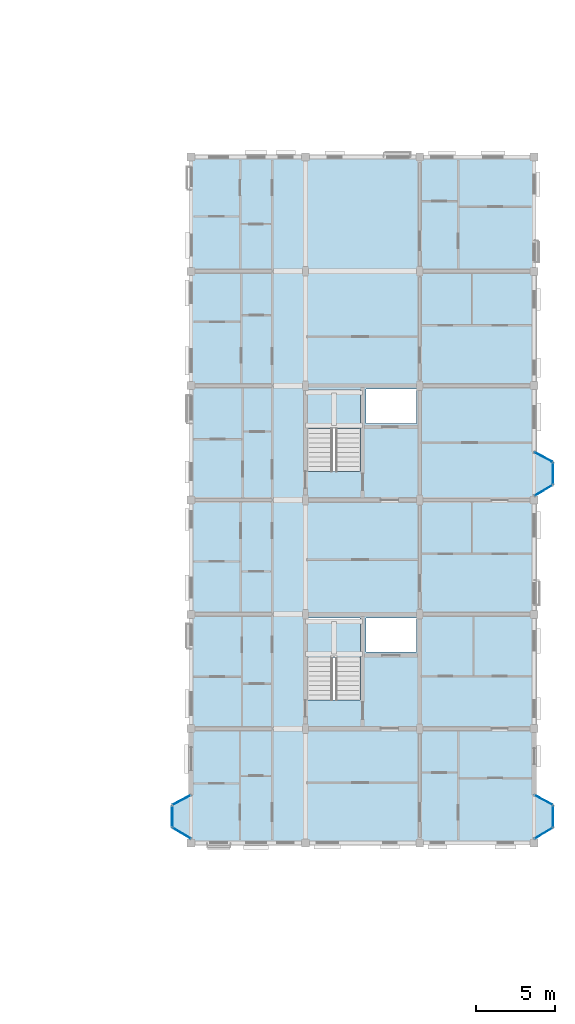
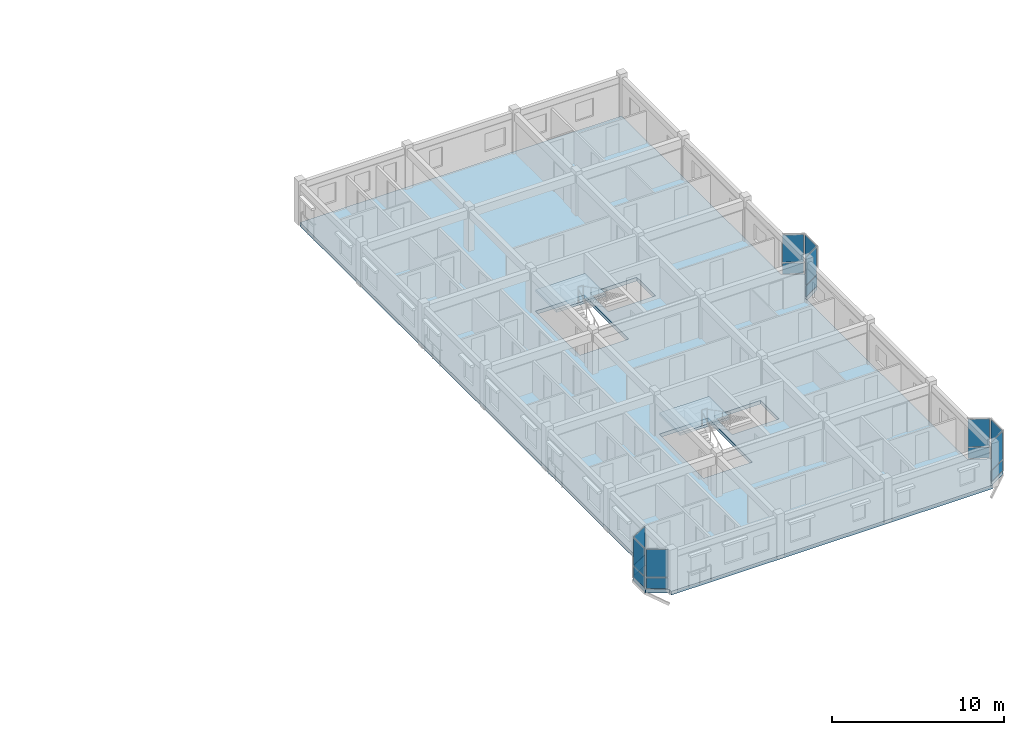
# One storey, part 37 of 64: 18 plates, 3 slabs, 11 elements without a shape of their own.
"""IFC4 building model written with IfcOpenShell, lengths in metres."""

from ifc_helpers import new_model, si_unit, direction, frame, origin, origin_2d, place, context, subcontext, project, spatial, polyline, rectangle, outline, extrude, material, layer, layer_set, type_object, element, aggregate, save


model = new_model("IFC4")

# Units and contexts
model_context = context("Model", 3, precision=1e-05, world=origin(), true_north=direction((0.0, 1.0)))
body_context = subcontext(model_context, "Body", "Model", "MODEL_VIEW")
ifc_project = project(units=[si_unit("LENGTHUNIT", "METRE"), si_unit("AREAUNIT", "SQUARE_METRE"), si_unit("VOLUMEUNIT", "CUBIC_METRE"), si_unit("PLANEANGLEUNIT", "RADIAN"), si_unit("MASSUNIT", "GRAM", prefix="KILO"), si_unit("THERMODYNAMICTEMPERATUREUNIT", "KELVIN"), si_unit("POWERUNIT", "WATT")], contexts=[model_context])

# Site, building, storey
site_placement = place(None, origin())
site = spatial("IfcSite", under=ifc_project, at=site_placement, CompositionType="ELEMENT")
building_placement = place(site_placement, origin())
building = spatial("IfcBuilding", under=site, at=building_placement, Name="Tavuni Mirador Residences", CompositionType="ELEMENT")
storey_placement = place(building_placement, frame((0.0, 0.0, 26.550048828125)))
storey = spatial("IfcBuildingStorey", under=building, at=storey_placement, Name="L08", CompositionType="ELEMENT", Elevation=26.550048828125)

# Curtain wall, plate
ifc_material_1 = material(Name="Anodised aluminium", Category="aluminium")
ifc_layer_1 = layer(ifc_material_1, 0.1650390625, Name="Anodised aluminium", Category="aluminium")
ifc_layer_set_1 = layer_set([ifc_layer_1], Name="Anodised aluminium")
curtain_wall_type_1 = type_object("IfcCurtainWallType", Name="CWT-MIR-A", PredefinedType="NOTDEFINED", material=ifc_layer_set_1)
curtain_wall_1_placement = place(storey_placement, origin())
curtain_wall_1 = element("IfcCurtainWall", 1, at=curtain_wall_1_placement, inside=storey, type_object=curtain_wall_type_1, Name="CW-MIR-D-E1-L08-M2", PredefinedType="NOTDEFINED")
ifc_material_2 = material(Name="Laminated solar-control glass", Category="glass")
ifc_layer_2 = layer(ifc_material_2, 0.02392578125, Name="Laminated solar-control glass", Category="glass")
ifc_layer_set_2 = layer_set([ifc_layer_2], Name="Laminated solar-control glass")
plate_type_1 = type_object("IfcPlateType", Name="CWP-GL24", PredefinedType="CURTAIN_PANEL", material=ifc_layer_set_2)
plate_1_placement = place(storey_placement, frame((119.39990234375, 89.10009765625, 0.8798828125), z_axis=(0.0, 0.0, 1.0), x_axis=(-0.882352941175, 0.470588235296, 0.0)))
plate_1 = element("IfcPlate", 2, at=plate_1_placement, type_object=plate_type_1, Name="CW-01 panel 1.2", PredefinedType="CURTAIN_PANEL", context=body_context, shape_type="SweptSolid", body=[
    extrude(rectangle(XDim=1.239990234375, YDim=0.02392578125, at=origin_2d()), origin(), (0.0, 0.0, 1.0), 1.949951171875),
])

curtain_wall_2_placement = place(storey_placement, origin())
curtain_wall_2 = element("IfcCurtainWall", 3, at=curtain_wall_2_placement, inside=storey, type_object=curtain_wall_type_1, Name="CW-MIR-D-WU-L08-M1", PredefinedType="NOTDEFINED")
plate_2_placement = place(storey_placement, frame((96.60009765625, 89.10009765625, 0.8798828125), z_axis=(0.0, 0.0, 1.0), x_axis=(-0.882352941175, -0.470588235296, 0.0)))
plate_2 = element("IfcPlate", 4, at=plate_2_placement, type_object=plate_type_1, Name="CW-01 panel 1.2", PredefinedType="CURTAIN_PANEL", context=body_context, shape_type="SweptSolid", body=[
    extrude(rectangle(XDim=1.239990234375, YDim=0.02392578125, at=origin_2d()), origin(), (0.0, 0.0, 1.0), 1.949951171875),
])

ifc_layer_3 = layer(ifc_material_1, 0.14990234375, Name="Anodised aluminium", Category="aluminium")
ifc_layer_set_3 = layer_set([ifc_layer_3], Name="Anodised aluminium")
curtain_wall_type_2 = type_object("IfcCurtainWallType", Name="CWT-MIR-B", PredefinedType="NOTDEFINED", material=ifc_layer_set_3)
curtain_wall_3_placement = place(storey_placement, origin())
curtain_wall_3 = element("IfcCurtainWall", 5, at=curtain_wall_3_placement, inside=storey, type_object=curtain_wall_type_2, Name="CW-MIR-D-E2-L08-M1", PredefinedType="NOTDEFINED")
ifc_layer_4 = layer(ifc_material_2, 0.028076171875, Name="Laminated solar-control glass", Category="glass")
ifc_layer_set_4 = layer_set([ifc_layer_4], Name="Laminated solar-control glass")
plate_type_2 = type_object("IfcPlateType", Name="CWP-GL28", PredefinedType="CURTAIN_PANEL", material=ifc_layer_set_4)
plate_3_placement = place(storey_placement, frame((119.39990234375, 108.60498046875, 0.882568359375), z_axis=(0.0, 0.0, 1.0), x_axis=(0.860640830284, 0.509212491254, 0.0)))
plate_3 = element("IfcPlate", 6, at=plate_3_placement, type_object=plate_type_2, Name="CW-02 panel 1.2", PredefinedType="CURTAIN_PANEL", context=body_context, shape_type="SweptSolid", body=[
    extrude(rectangle(XDim=1.264404296875, YDim=0.028076171875, at=origin_2d()), origin(), (0.0, 0.0, 1.0), 1.9423828125),
])

curtain_wall_4_placement = place(storey_placement, origin())
curtain_wall_4 = element("IfcCurtainWall", 7, at=curtain_wall_4_placement, inside=storey, type_object=curtain_wall_type_2, Name="CW-MIR-D-WU-L08-MF", PredefinedType="NOTDEFINED")
plate_4_placement = place(storey_placement, frame((96.0, 88.070068359375, 0.882568359375), z_axis=(0.0, 0.0, 1.0), x_axis=(0.0, -1.0, 0.0)))
plate_4 = element("IfcPlate", 8, at=plate_4_placement, type_object=plate_type_2, Name="CW-02 panel 1.2", PredefinedType="CURTAIN_PANEL", context=body_context, shape_type="SweptSolid", body=[
    extrude(rectangle(XDim=1.2900390625, YDim=0.028076171875, at=origin_2d()), origin(), (0.0, 0.0, 1.0), 1.9423828125),
])

ifc_layer_5 = layer(ifc_material_1, 0.175048828125, Name="Anodised aluminium", Category="aluminium")
ifc_layer_set_5 = layer_set([ifc_layer_5], Name="Anodised aluminium")
curtain_wall_type_3 = type_object("IfcCurtainWallType", Name="CWT-MIR-C", PredefinedType="NOTDEFINED", material=ifc_layer_set_5)
curtain_wall_5_placement = place(storey_placement, origin())
curtain_wall_5 = element("IfcCurtainWall", 9, at=curtain_wall_5_placement, inside=storey, type_object=curtain_wall_type_3, Name="CW-MIR-D-E1-L08-M1", PredefinedType="NOTDEFINED")
ifc_layer_6 = layer(ifc_material_2, 0.031982421875, Name="Laminated solar-control glass", Category="glass")
ifc_layer_set_6 = layer_set([ifc_layer_6], Name="Laminated solar-control glass")
plate_type_3 = type_object("IfcPlateType", Name="CWP-GL32", PredefinedType="CURTAIN_PANEL", material=ifc_layer_set_6)
plate_5_placement = place(storey_placement, frame((119.39990234375, 87.0048828125, 0.8798828125), z_axis=(0.0, 0.0, 1.0), x_axis=(0.860640830284, 0.509212491254, 0.0)))
plate_5 = element("IfcPlate", 10, at=plate_5_placement, type_object=plate_type_3, Name="CW-03 panel 1.2", PredefinedType="CURTAIN_PANEL", context=body_context, shape_type="SweptSolid", body=[
    extrude(rectangle(XDim=1.2744140625, YDim=0.031982421875, at=origin_2d()), origin(), (0.0, 0.0, 1.0), 1.949951171875),
])

curtain_wall_6_placement = place(storey_placement, origin())
curtain_wall_6 = element("IfcCurtainWall", 11, at=curtain_wall_6_placement, inside=storey, type_object=curtain_wall_type_3, Name="CW-MIR-D-E2-L08-MF", PredefinedType="NOTDEFINED")
plate_6_placement = place(storey_placement, frame((120.0, 109.669921875, 0.8798828125), z_axis=(0.0, 0.0, 1.0), x_axis=(0.0, 1.0, 0.0)))
plate_6 = element("IfcPlate", 12, at=plate_6_placement, type_object=plate_type_3, Name="CW-03 panel 1.2", PredefinedType="CURTAIN_PANEL", context=body_context, shape_type="SweptSolid", body=[
    extrude(rectangle(XDim=1.300048828125, YDim=0.031982421875, at=origin_2d()), origin(), (0.0, 0.0, 1.0), 1.949951171875),
])

curtain_wall_7_placement = place(storey_placement, origin())
curtain_wall_7 = element("IfcCurtainWall", 13, at=curtain_wall_7_placement, inside=storey, type_object=curtain_wall_type_3, Name="CW-MIR-D-WU-L08-M2", PredefinedType="NOTDEFINED")
plate_7_placement = place(storey_placement, frame((96.60009765625, 87.0048828125, 0.8798828125), z_axis=(0.0, 0.0, 1.0), x_axis=(0.860640830284, -0.509212491254, 0.0)))
plate_7 = element("IfcPlate", 14, at=plate_7_placement, type_object=plate_type_3, Name="CW-03 panel 1.2", PredefinedType="CURTAIN_PANEL", context=body_context, shape_type="SweptSolid", body=[
    extrude(rectangle(XDim=1.2744140625, YDim=0.031982421875, at=origin_2d()), origin(), (0.0, 0.0, 1.0), 1.949951171875),
])

ifc_layer_7 = layer(ifc_material_1, 0.159912109375, Name="Anodised aluminium", Category="aluminium")
ifc_layer_set_7 = layer_set([ifc_layer_7], Name="Anodised aluminium")
curtain_wall_type_4 = type_object("IfcCurtainWallType", Name="CWT-MIR-D", PredefinedType="NOTDEFINED", material=ifc_layer_set_7)
curtain_wall_8_placement = place(storey_placement, origin())
curtain_wall_8 = element("IfcCurtainWall", 15, at=curtain_wall_8_placement, inside=storey, type_object=curtain_wall_type_4, Name="CW-MIR-D-E1-L08-MF", PredefinedType="NOTDEFINED")
ifc_layer_8 = layer(ifc_material_2, 0.035888671875, Name="Laminated solar-control glass", Category="glass")
ifc_layer_set_8 = layer_set([ifc_layer_8], Name="Laminated solar-control glass")
plate_type_4 = type_object("IfcPlateType", Name="CWP-GL36", PredefinedType="CURTAIN_PANEL", material=ifc_layer_set_8)
plate_8_placement = place(storey_placement, frame((120.0, 88.070068359375, 0.882568359375), z_axis=(0.0, 0.0, 1.0), x_axis=(0.0, 1.0, 0.0)))
plate_8 = element("IfcPlate", 16, at=plate_8_placement, type_object=plate_type_4, Name="CW-04 panel 1.2", PredefinedType="CURTAIN_PANEL", context=body_context, shape_type="SweptSolid", body=[
    extrude(rectangle(XDim=1.2900390625, YDim=0.035888671875, at=origin_2d()), origin(), (0.0, 0.0, 1.0), 1.9423828125),
])

curtain_wall_9_placement = place(storey_placement, origin())
curtain_wall_9 = element("IfcCurtainWall", 17, at=curtain_wall_9_placement, inside=storey, type_object=curtain_wall_type_4, Name="CW-MIR-D-E2-L08-M2", PredefinedType="NOTDEFINED")
plate_9_placement = place(storey_placement, frame((119.39990234375, 110.699951171875, 0.882568359375), z_axis=(0.0, 0.0, 1.0), x_axis=(-0.882352941175, 0.470588235296, 0.0)))
plate_9 = element("IfcPlate", 18, at=plate_9_placement, type_object=plate_type_4, Name="CW-04 panel 1.2", PredefinedType="CURTAIN_PANEL", context=body_context, shape_type="SweptSolid", body=[
    extrude(rectangle(XDim=1.22998046875, YDim=0.035888671875, at=origin_2d()), origin(), (0.0, 0.0, 1.0), 1.9423828125),
])

# Plate
ifc_material_3 = material(Name="Ceramic trencadis mosaic panel", Category="masonry")
ifc_layer_9 = layer(ifc_material_3, 0.0419921875, Name="Ceramic trencadis mosaic panel", Category="masonry")
ifc_layer_set_9 = layer_set([ifc_layer_9], Name="Ceramic trencadis mosaic panel")
plate_type_5 = type_object("IfcPlateType", Name="CWP-SP42", PredefinedType="CURTAIN_PANEL", material=ifc_layer_set_9)
plate_10_placement = place(storey_placement, frame((119.39990234375, 87.0048828125, 0.06005859375), z_axis=(0.0, 0.0, 1.0), x_axis=(0.860640830284, 0.509212491254, 0.0)))
plate_10 = element("IfcPlate", 19, at=plate_10_placement, type_object=plate_type_5, Name="CW-03 panel 1.1", PredefinedType="CURTAIN_PANEL", context=body_context, shape_type="SweptSolid", body=[
    extrude(rectangle(XDim=1.2744140625, YDim=0.0419921875, at=origin_2d()), origin(), (0.0, 0.0, 1.0), 0.760009765625),
])

aggregate(curtain_wall_5, [plate_10, plate_5])

plate_11_placement = place(storey_placement, frame((119.39990234375, 89.10009765625, 0.06005859375), z_axis=(0.0, 0.0, 1.0), x_axis=(-0.882352941175, 0.470588235296, 0.0)))
plate_11 = element("IfcPlate", 20, at=plate_11_placement, type_object=plate_type_5, Name="CW-01 panel 1.1", PredefinedType="CURTAIN_PANEL", context=body_context, shape_type="SweptSolid", body=[
    extrude(rectangle(XDim=1.239990234375, YDim=0.0419921875, at=origin_2d()), origin(), (0.0, 0.0, 1.0), 0.760009765625),
])

aggregate(curtain_wall_1, [plate_11, plate_1])

plate_12_placement = place(storey_placement, frame((120.0, 109.669921875, 0.06005859375), z_axis=(0.0, 0.0, 1.0), x_axis=(0.0, 1.0, 0.0)))
plate_12 = element("IfcPlate", 21, at=plate_12_placement, type_object=plate_type_5, Name="CW-03 panel 1.1", PredefinedType="CURTAIN_PANEL", context=body_context, shape_type="SweptSolid", body=[
    extrude(rectangle(XDim=1.300048828125, YDim=0.0419921875, at=origin_2d()), origin(), (0.0, 0.0, 1.0), 0.760009765625),
])

aggregate(curtain_wall_6, [plate_12, plate_6])

plate_13_placement = place(storey_placement, frame((96.60009765625, 89.10009765625, 0.06005859375), z_axis=(0.0, 0.0, 1.0), x_axis=(-0.882352941175, -0.470588235296, 0.0)))
plate_13 = element("IfcPlate", 22, at=plate_13_placement, type_object=plate_type_5, Name="CW-01 panel 1.1", PredefinedType="CURTAIN_PANEL", context=body_context, shape_type="SweptSolid", body=[
    extrude(rectangle(XDim=1.239990234375, YDim=0.0419921875, at=origin_2d()), origin(), (0.0, 0.0, 1.0), 0.760009765625),
])

aggregate(curtain_wall_2, [plate_13, plate_2])

plate_14_placement = place(storey_placement, frame((96.60009765625, 87.0048828125, 0.06005859375), z_axis=(0.0, 0.0, 1.0), x_axis=(0.860640830284, -0.509212491254, 0.0)))
plate_14 = element("IfcPlate", 23, at=plate_14_placement, type_object=plate_type_5, Name="CW-03 panel 1.1", PredefinedType="CURTAIN_PANEL", context=body_context, shape_type="SweptSolid", body=[
    extrude(rectangle(XDim=1.2744140625, YDim=0.0419921875, at=origin_2d()), origin(), (0.0, 0.0, 1.0), 0.760009765625),
])

aggregate(curtain_wall_7, [plate_14, plate_7])

ifc_layer_10 = layer(ifc_material_3, 0.048095703125, Name="Ceramic trencadis mosaic panel", Category="masonry")
ifc_layer_set_10 = layer_set([ifc_layer_10], Name="Ceramic trencadis mosaic panel")
plate_type_6 = type_object("IfcPlateType", Name="CWP-SP48", PredefinedType="CURTAIN_PANEL", material=ifc_layer_set_10)
plate_15_placement = place(storey_placement, frame((120.0, 88.070068359375, 0.06494140625), z_axis=(0.0, 0.0, 1.0), x_axis=(0.0, 1.0, 0.0)))
plate_15 = element("IfcPlate", 24, at=plate_15_placement, type_object=plate_type_6, Name="CW-04 panel 1.1", PredefinedType="CURTAIN_PANEL", context=body_context, shape_type="SweptSolid", body=[
    extrude(rectangle(XDim=1.2900390625, YDim=0.048095703125, at=origin_2d()), origin(), (0.0, 0.0, 1.0), 0.75244140625),
])

aggregate(curtain_wall_8, [plate_15, plate_8])

plate_16_placement = place(storey_placement, frame((119.39990234375, 108.60498046875, 0.06494140625), z_axis=(0.0, 0.0, 1.0), x_axis=(0.860640830284, 0.509212491254, 0.0)))
plate_16 = element("IfcPlate", 25, at=plate_16_placement, type_object=plate_type_6, Name="CW-02 panel 1.1", PredefinedType="CURTAIN_PANEL", context=body_context, shape_type="SweptSolid", body=[
    extrude(rectangle(XDim=1.264404296875, YDim=0.048095703125, at=origin_2d()), origin(), (0.0, 0.0, 1.0), 0.75244140625),
])

aggregate(curtain_wall_3, [plate_16, plate_3])

plate_17_placement = place(storey_placement, frame((119.39990234375, 110.699951171875, 0.06494140625), z_axis=(0.0, 0.0, 1.0), x_axis=(-0.882352941175, 0.470588235296, 0.0)))
plate_17 = element("IfcPlate", 26, at=plate_17_placement, type_object=plate_type_6, Name="CW-04 panel 1.1", PredefinedType="CURTAIN_PANEL", context=body_context, shape_type="SweptSolid", body=[
    extrude(rectangle(XDim=1.22998046875, YDim=0.048095703125, at=origin_2d()), origin(), (0.0, 0.0, 1.0), 0.75244140625),
])

aggregate(curtain_wall_9, [plate_17, plate_9])

plate_18_placement = place(storey_placement, frame((96.0, 88.070068359375, 0.06494140625), z_axis=(0.0, 0.0, 1.0), x_axis=(0.0, -1.0, 0.0)))
plate_18 = element("IfcPlate", 27, at=plate_18_placement, type_object=plate_type_6, Name="CW-02 panel 1.1", PredefinedType="CURTAIN_PANEL", context=body_context, shape_type="SweptSolid", body=[
    extrude(rectangle(XDim=1.2900390625, YDim=0.048095703125, at=origin_2d()), origin(), (0.0, 0.0, 1.0), 0.75244140625),
])

aggregate(curtain_wall_4, [plate_18, plate_4])

# Slab
ifc_material_4 = material(Name="Prestressed concrete C45/55", Category="concrete")
ifc_layer_11 = layer(ifc_material_4, 0.260009765625, Name="Prestressed concrete C45/55", Category="concrete")
ifc_layer_set_11 = layer_set([ifc_layer_11], Name="Prestressed concrete C45/55")
slab_type_1 = type_object("IfcSlabType", Name="SLT-FLR260", PredefinedType="FLOOR", material=ifc_layer_set_11)
slab_1_placement = place(storey_placement, frame((0.0, 0.0, -0.260009765625)))
element("IfcSlab", 28, at=slab_1_placement, inside=storey, type_object=slab_type_1, Name="SLB-BLK-D-L08", PredefinedType="FLOOR", context=body_context, shape_type="SweptSolid", body=[
    extrude(outline(polyline([(97.199951171875, 86.39990234375), (118.800048828125, 86.39990234375), (118.800048828125, 86.64990234375), (120.0, 87.360107421875), (120.0, 88.780029296875), (118.800048828125, 89.419921875), (118.800048828125, 108.25), (120.0, 108.9599609375), (120.0, 110.3798828125), (118.800048828125, 111.02001953125), (118.800048828125, 129.60009765625), (97.199951171875, 129.60009765625), (97.199951171875, 89.419921875), (96.0, 88.780029296875), (96.0, 87.360107421875), (97.199951171875, 86.64990234375), (97.199951171875, 86.39990234375)]), holes=[polyline([(104.56005859375, 95.407958984375), (107.840087890625, 95.407958984375), (107.840087890625, 100.56005859375), (104.56005859375, 100.56005859375), (104.56005859375, 95.407958984375)]), polyline([(108.219970703125, 98.419921875), (111.3798828125, 98.419921875), (111.3798828125, 100.580078125), (108.219970703125, 100.580078125), (108.219970703125, 98.419921875)]), polyline([(104.56005859375, 109.80810546875), (107.840087890625, 109.80810546875), (107.840087890625, 114.9599609375), (104.56005859375, 114.9599609375), (104.56005859375, 109.80810546875)]), polyline([(108.219970703125, 112.820068359375), (111.3798828125, 112.820068359375), (111.3798828125, 114.97998046875), (108.219970703125, 114.97998046875), (108.219970703125, 112.820068359375)])]), origin(), (0.0, 0.0, 1.0), 0.260009765625),
])

# Stair, slab
ifc_material_5 = material(Name="Precast concrete C40/50", Category="concrete")
stair_type = type_object("IfcStairType", Name="STT-TYP", PredefinedType="HALF_TURN_STAIR", material=ifc_material_5)
stair_1_placement = place(storey_placement, origin())
stair_1 = element("IfcStair", 29, at=stair_1_placement, inside=storey, type_object=stair_type, Name="Protected exit stair ST7 (L08)", PredefinedType="HALF_TURN_STAIR")
ifc_layer_12 = layer(ifc_material_5, 0.179931640625, Name="Precast concrete C40/50", Category="concrete")
ifc_layer_set_12 = layer_set([ifc_layer_12], Name="Precast concrete C40/50")
slab_type_2 = type_object("IfcSlabType", Name="SLT-LND180", PredefinedType="LANDING", material=ifc_layer_set_12)
slab_2_placement = place(storey_placement, frame((0.0, 0.0, 1.39501953125)))
slab_2 = element("IfcSlab", 30, at=slab_2_placement, type_object=slab_type_2, Name="ST7 landing 1", PredefinedType="LANDING", context=body_context, shape_type="SweptSolid", body=[
    extrude(outline(polyline([(104.5400390625, 98.092041015625), (107.860107421875, 98.092041015625), (107.860107421875, 100.5), (104.5400390625, 100.5), (104.5400390625, 98.092041015625)])), origin(), (0.0, 0.0, 1.0), 0.179931640625),
])
aggregate(stair_1, [slab_2])

stair_2_placement = place(storey_placement, origin())
stair_2 = element("IfcStair", 31, at=stair_2_placement, inside=storey, type_object=stair_type, Name="Protected exit stair ST8 (L08)", PredefinedType="HALF_TURN_STAIR")
slab_3_placement = place(storey_placement, frame((0.0, 0.0, 1.39501953125)))
slab_3 = element("IfcSlab", 32, at=slab_3_placement, type_object=slab_type_2, Name="ST8 landing 1", PredefinedType="LANDING", context=body_context, shape_type="SweptSolid", body=[
    extrude(outline(polyline([(104.5400390625, 112.491943359375), (107.860107421875, 112.491943359375), (107.860107421875, 114.89990234375), (104.5400390625, 114.89990234375), (104.5400390625, 112.491943359375)])), origin(), (0.0, 0.0, 1.0), 0.179931640625),
])
aggregate(stair_2, [slab_3])

save(model, "model.ifc")
